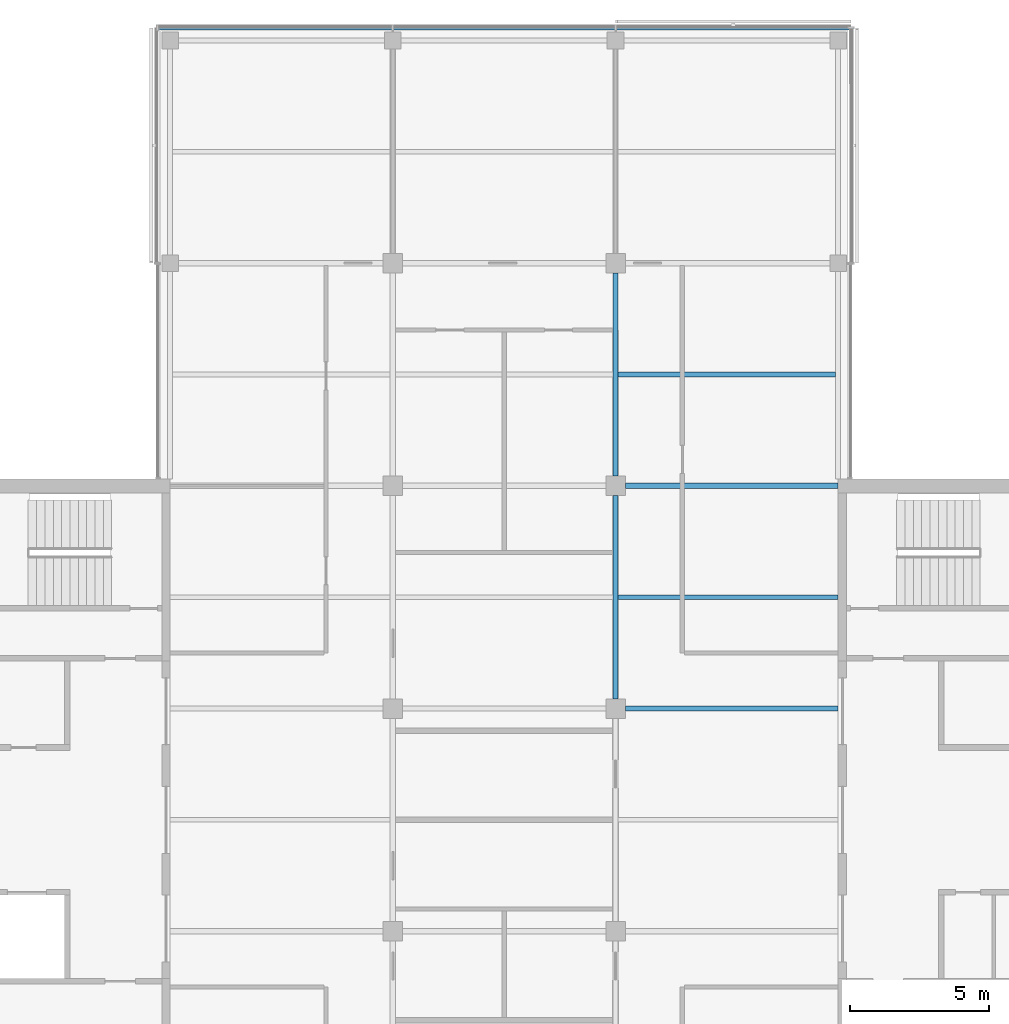
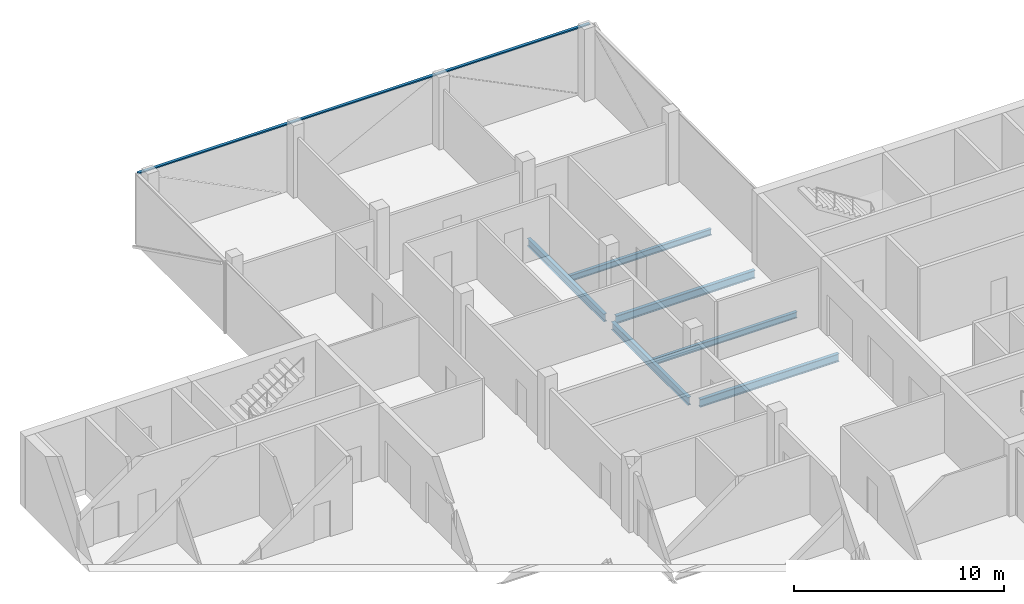
# One storey, part 6 of 16: 6 beams, 1 member, 1 element without a shape of its own.
"""IFC4 building model written with IfcOpenShell, lengths in metres."""

from ifc_helpers import new_model, si_unit, direction, frame, origin, origin_2d, place, context, subcontext, project, spatial, rectangle, i_section, extrude, material, material_profile, profile_set, type_object, element, aggregate, save


model = new_model("IFC4")

# Units and contexts
model_context = context("Model", 3, precision=1e-05, world=origin(), true_north=direction((0.0, 1.0)))
body_context = subcontext(model_context, "Body", "Model", "MODEL_VIEW")
ifc_project = project(units=[si_unit("LENGTHUNIT", "METRE"), si_unit("AREAUNIT", "SQUARE_METRE"), si_unit("VOLUMEUNIT", "CUBIC_METRE"), si_unit("PLANEANGLEUNIT", "RADIAN"), si_unit("MASSUNIT", "GRAM", prefix="KILO")], contexts=[model_context])

# Site, building, storey
site_placement = place(None, origin())
site = spatial("IfcSite", under=ifc_project, at=site_placement, CompositionType="ELEMENT")
building_placement = place(site_placement, origin())
building = spatial("IfcBuilding", under=site, at=building_placement, Name="Crosswind Convention Tower", CompositionType="ELEMENT")
storey_placement = place(building_placement, frame((0.0, 0.0, 253.5)))
storey = spatial("IfcBuildingStorey", under=building, at=storey_placement, Name="L54", CompositionType="ELEMENT", Elevation=253.5)

# Beams
ifc_material_1 = material(Name="Steel S355", Category="steel")
ifc_material_profile_1 = material_profile(ifc_material_1, i_section(OverallWidth=0.18994140625, OverallDepth=0.45361328125, WebThickness=0.008544921875, FlangeThickness=0.0126953125, FilletRadius=0.01025390625, at=origin_2d()), Name="UB 457x191x67")
ifc_profile_set_1 = profile_set([ifc_material_profile_1], Name="Steel S355")
beam_type_1 = type_object("IfcBeamType", Name="Girder UB 457x191x67", PredefinedType="BEAM", material=ifc_profile_set_1)
for number, where, z_axis, x_axis, name in (
    (1, (129.0, 104.35009765625, -0.52685546875), (0.0, 1.0, 0.0), (-1.0, 0.0, 0.0), "B1 L54 girder 20"),
    (2, (129.0, 112.35009765625, -0.52685546875), (0.0, 1.0, 0.0), (-1.0, 0.0, 0.0), "B1 L54 girder 21"),
):
    element("IfcBeam", number, at=place(storey_placement, frame(where, z_axis=z_axis, x_axis=x_axis)), inside=storey, type_object=beam_type_1, Name=name, PredefinedType="BEAM", context=body_context, shape_type="SweptSolid", body=[
        extrude(i_section(OverallWidth=0.18994140625, OverallDepth=0.45361328125, WebThickness=0.008544921875, FlangeThickness=0.0126953125, FilletRadius=0.01025390625, at=origin_2d()), origin(), (0.0, 0.0, 1.0), 7.2998046875),
    ])
ifc_material_profile_2 = material_profile(ifc_material_1, i_section(OverallWidth=0.1904296875, OverallDepth=0.457275390625, WebThickness=0.009033203125, FlangeThickness=0.014404296875, FilletRadius=0.01025390625, at=origin_2d()), Name="UB 457x191x75")
ifc_profile_set_2 = profile_set([ifc_material_profile_2], Name="Steel S355")
beam_type_2 = type_object("IfcBeamType", Name="Girder at core wall UB 457x191x75", PredefinedType="BEAM", material=ifc_profile_set_2)
for number, where, z_axis, x_axis, name in (
    (3, (129.35009765625, 104.0, -0.528564453125), (1.0, 0.0, 0.0), (0.0, 1.0, 0.0), "B22 L54 girder at core wall 7"),
    (4, (129.35009765625, 112.0, -0.528564453125), (1.0, 0.0, 0.0), (0.0, 1.0, 0.0), "B22 L54 girder at core wall 8"),
):
    element("IfcBeam", number, at=place(storey_placement, frame(where, z_axis=z_axis, x_axis=x_axis)), inside=storey, type_object=beam_type_2, Name=name, PredefinedType="BEAM", context=body_context, shape_type="SweptSolid", body=[
        extrude(i_section(OverallWidth=0.1904296875, OverallDepth=0.457275390625, WebThickness=0.009033203125, FlangeThickness=0.014404296875, FilletRadius=0.01025390625, at=origin_2d()), origin(), (0.0, 0.0, 1.0), 7.64990234375),
    ])
ifc_material_profile_3 = material_profile(ifc_material_1, i_section(OverallWidth=0.17138671875, OverallDepth=0.355712890625, WebThickness=0.00732421875, FlangeThickness=0.011474609375, FilletRadius=0.01025390625, at=origin_2d()), Name="UB 356x171x51")
ifc_profile_set_3 = profile_set([ifc_material_profile_3], Name="Steel S355")
beam_type_3 = type_object("IfcBeamType", Name="Secondary beam UB 356x171x51", PredefinedType="JOIST", material=ifc_profile_set_3)
beam_1_placement = place(storey_placement, frame((129.094970703125, 108.0, -0.477783203125), z_axis=(1.0, 0.0, 0.0), x_axis=(0.0, 1.0, 0.0)))
element("IfcBeam", 5, at=beam_1_placement, inside=storey, type_object=beam_type_3, Name="B8 L54 secondary beam 19", PredefinedType="JOIST", context=body_context, shape_type="SweptSolid", body=[
    extrude(i_section(OverallWidth=0.17138671875, OverallDepth=0.355712890625, WebThickness=0.00732421875, FlangeThickness=0.011474609375, FilletRadius=0.01025390625, at=origin_2d()), origin(), (0.0, 0.0, 1.0), 7.905029296875),
])
beam_2_placement = place(storey_placement, frame((129.094970703125, 116.0, -0.477783203125), z_axis=(1.0, 0.0, 0.0), x_axis=(0.0, 1.0, 0.0)))
element("IfcBeam", 6, at=beam_2_placement, inside=storey, type_object=beam_type_3, Name="B8 L54 secondary beam 20", PredefinedType="JOIST", context=body_context, shape_type="SweptSolid", body=[
    extrude(i_section(OverallWidth=0.17138671875, OverallDepth=0.355712890625, WebThickness=0.00732421875, FlangeThickness=0.011474609375, FilletRadius=0.01025390625, at=origin_2d()), origin(), (0.0, 0.0, 1.0), 7.816162109375),
])

# Curtain wall, member
ifc_material_2 = material(Name="Aluminium unitised curtain wall", Category="aluminium")
curtain_wall_type = type_object("IfcCurtainWallType", Name="OFFICE UNITISED WALL 220", PredefinedType="USERDEFINED", material=ifc_material_2)
curtain_wall_placement = place(storey_placement, origin())
curtain_wall = element("IfcCurtainWall", 7, at=curtain_wall_placement, inside=storey, type_object=curtain_wall_type, Name="CW3 L54 N-TIP 1", ObjectType="UNITISED", PredefinedType="USERDEFINED")
ifc_material_3 = material(Name="Aluminium transom", Category="aluminium")
ifc_material_profile_4 = material_profile(ifc_material_3, rectangle(XDim=0.159912109375, YDim=0.070068359375, at=origin_2d()), Name="AL 160X70")
ifc_profile_set_4 = profile_set([ifc_material_profile_4], Name="Aluminium transom")
member_type = type_object("IfcMemberType", Name="TRANSOM 70X160", PredefinedType="USERDEFINED", material=ifc_profile_set_4)
member_placement = place(storey_placement, frame((137.425048828125, 128.4599609375, 3.864990234375), z_axis=(-1.0, 0.0, 0.0), x_axis=(0.0, -1.0, 0.0)))
member = element("IfcMember", 8, at=member_placement, type_object=member_type, Name="CW3 transom", ObjectType="TRANSOM", PredefinedType="USERDEFINED", context=body_context, shape_type="SweptSolid", body=[
    extrude(rectangle(XDim=0.159912109375, YDim=0.070068359375, at=origin_2d()), origin(), (0.0, 0.0, 1.0), 24.85009765625),
])
aggregate(curtain_wall, [member])

save(model, "model.ifc")
